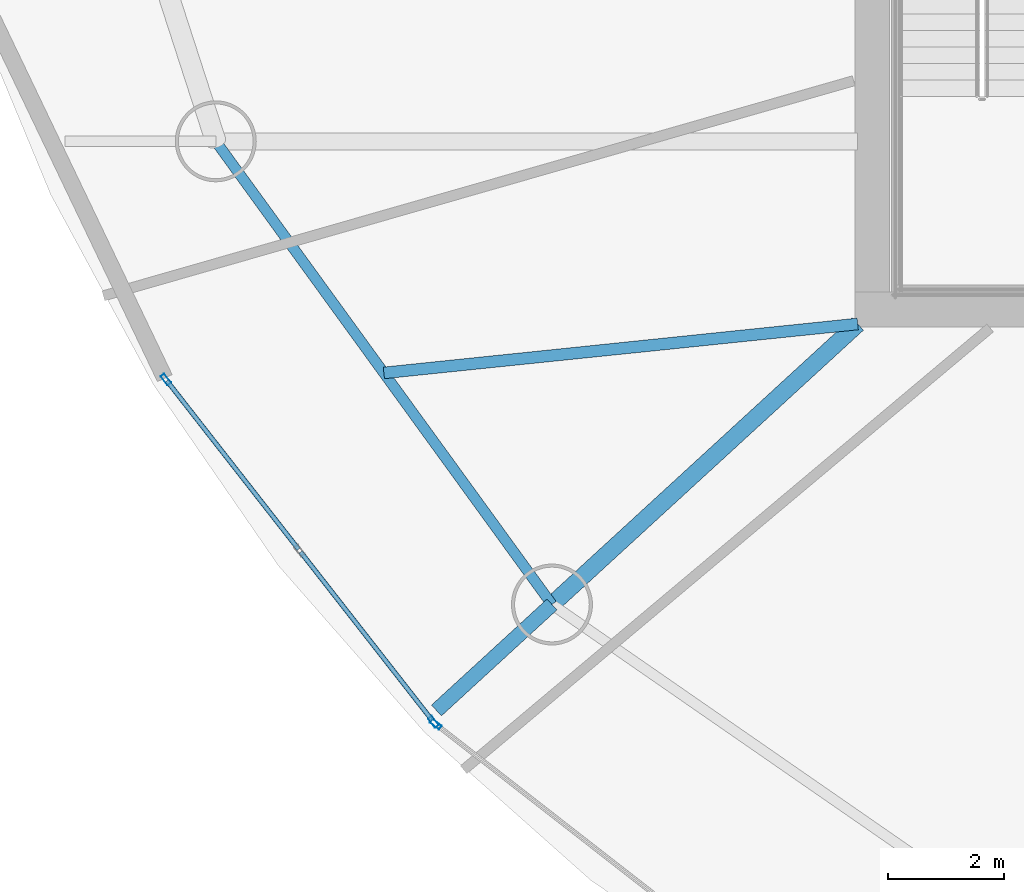
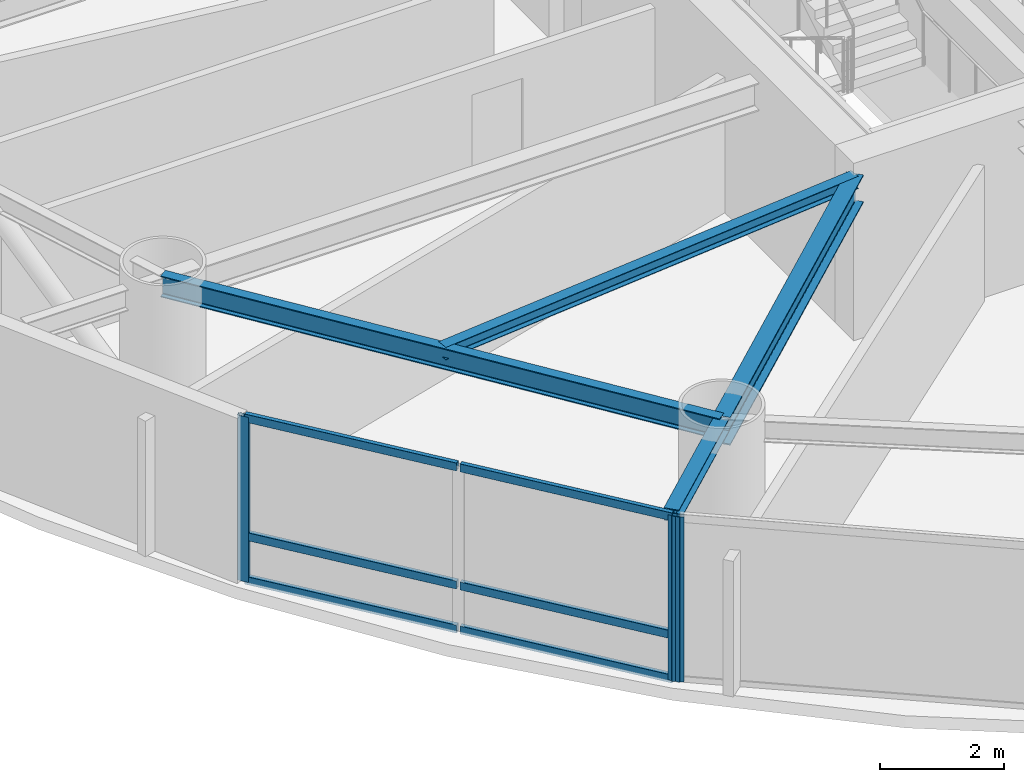
# One storey, part 3 of 20: 9 members, 4 beams, 2 elements without a shape of their own.
"""IFC4 building model written with IfcOpenShell, lengths in metres."""

from ifc_helpers import new_model, si_unit, direction, frame, origin, origin_2d, place, context, subcontext, project, spatial, hollow_rectangle, i_section, extrude, material, layer, layer_set, material_profile, profile_set, type_object, element, aggregate, save


model = new_model("IFC4")

# Units and contexts
model_context = context("Model", 3, precision=1e-05, world=origin(), true_north=direction((0.0, 1.0)))
body_context = subcontext(model_context, "Body", "Model", "MODEL_VIEW")
ifc_project = project(units=[si_unit("LENGTHUNIT", "METRE"), si_unit("AREAUNIT", "SQUARE_METRE"), si_unit("VOLUMEUNIT", "CUBIC_METRE"), si_unit("PLANEANGLEUNIT", "RADIAN"), si_unit("MASSUNIT", "GRAM", prefix="KILO")], contexts=[model_context])

# Site, building, storey
site_placement = place(None, origin())
site = spatial("IfcSite", under=ifc_project, at=site_placement, CompositionType="ELEMENT")
building_placement = place(site_placement, origin())
building = spatial("IfcBuilding", under=site, at=building_placement, Name="Bramvorn Convention Spire", CompositionType="ELEMENT")
storey_placement = place(building_placement, frame((0.0, 0.0, 151.800048828125)))
storey = spatial("IfcBuildingStorey", under=building, at=storey_placement, Name="L38", CompositionType="ELEMENT", Elevation=151.800048828125)

# Beams
ifc_material_1 = material(Name="Steel CSA G40.21 Grade 350 (350W)", Category="steel")
ifc_material_profile_1 = material_profile(ifc_material_1, i_section(OverallWidth=0.201904296875, OverallDepth=0.2470703125, WebThickness=0.00732421875, FlangeThickness=0.010986328125, FilletRadius=0.011962890625, at=origin_2d()))
ifc_profile_set_1 = profile_set([ifc_material_profile_1], Name="Steel CSA G40.21 Grade 350 (350W) - W250X49")
beam_type_1 = type_object("IfcBeamType", Name="BM-W250X49", PredefinedType="JOIST", material=ifc_profile_set_1)
beam_1_placement = place(storey_placement, frame((26.75, 18.550048828125, 3.136474609375), z_axis=(-0.994705076194, -0.102770673804, 0.0), x_axis=(0.102770673804, -0.994705076194, 0.0)))
element("IfcBeam", 1, at=beam_1_placement, inside=storey, type_object=beam_type_1, Name="L38 composite floor joist 11", PredefinedType="JOIST", context=body_context, shape_type="SweptSolid", body=[
    extrude(i_section(OverallWidth=0.201904296875, OverallDepth=0.2470703125, WebThickness=0.00732421875, FlangeThickness=0.010986328125, FilletRadius=0.011962890625, at=origin_2d()), origin(), (0.0, 0.0, 1.0), 8.23388671875),
])
ifc_material_profile_2 = material_profile(ifc_material_1, i_section(OverallWidth=0.25390625, OverallDepth=0.2529296875, WebThickness=0.008544921875, FlangeThickness=0.01416015625, FilletRadius=0.011962890625, at=origin_2d()))
ifc_profile_set_2 = profile_set([ifc_material_profile_2], Name="Steel CSA G40.21 Grade 350 (350W) - W250X73")
beam_type_2 = type_object("IfcBeamType", Name="BM-W250X73", PredefinedType="BEAM", material=ifc_profile_set_2)
beam_2_placement = place(storey_placement, frame((21.465087890625, 13.700927734375, 3.1083984375), z_axis=(-0.736821157559, -0.676087702723, 0.0), x_axis=(0.676087702723, -0.736821157559, 0.0)))
element("IfcBeam", 2, at=beam_2_placement, inside=storey, type_object=beam_type_2, Name="L38 slab-edge cantilever tip beam MC12", PredefinedType="BEAM", context=body_context, shape_type="SweptSolid", body=[
    extrude(i_section(OverallWidth=0.25390625, OverallDepth=0.2529296875, WebThickness=0.008544921875, FlangeThickness=0.01416015625, FilletRadius=0.011962890625, at=origin_2d()), origin(), (0.0, 0.0, 1.0), 2.70947265625),
])
ifc_material_profile_3 = material_profile(ifc_material_1, i_section(OverallWidth=0.180908203125, OverallDepth=0.4169921875, WebThickness=0.010986328125, FlangeThickness=0.018310546875, FilletRadius=0.01611328125, at=origin_2d()))
ifc_profile_set_3 = profile_set([ifc_material_profile_3], Name="Steel CSA G40.21 Grade 350 (350W) - W410X85")
beam_type_3 = type_object("IfcBeamType", Name="BM-W410X85", PredefinedType="JOIST", material=ifc_profile_set_3)
beam_3_placement = place(storey_placement, frame((15.654296875, 21.706787109375, 3.051513671875), z_axis=(0.587401024629, -0.809296012757, 0.0), x_axis=(0.809296012757, 0.587401024629, 0.0)))
element("IfcBeam", 3, at=beam_3_placement, inside=storey, type_object=beam_type_3, Name="L38 mega-column ring beam 11", PredefinedType="JOIST", context=body_context, shape_type="SweptSolid", body=[
    extrude(i_section(OverallWidth=0.180908203125, OverallDepth=0.4169921875, WebThickness=0.010986328125, FlangeThickness=0.018310546875, FilletRadius=0.01611328125, at=origin_2d()), origin(), (0.0, 0.0, 1.0), 9.892333984375),
])
ifc_material_profile_4 = material_profile(ifc_material_1, i_section(OverallWidth=0.2919921875, OverallDepth=0.551025390625, WebThickness=0.01513671875, FlangeThickness=0.0244140625, FilletRadius=0.01904296875, at=origin_2d()))
ifc_profile_set_4 = profile_set([ifc_material_profile_4], Name="Steel CSA G40.21 Grade 350 (350W) - W530X182")
beam_type_4 = type_object("IfcBeamType", Name="BM-W530X182", PredefinedType="BEAM", material=ifc_profile_set_4)
beam_4_placement = place(storey_placement, frame((26.75, 18.550048828125, 2.984375), z_axis=(-0.736833323746, -0.676074443399, 0.0), x_axis=(0.676074443399, -0.736833323746, 0.0)))
element("IfcBeam", 4, at=beam_4_placement, inside=storey, type_object=beam_type_4, Name="L38 radial floor girder MC12", PredefinedType="BEAM", context=body_context, shape_type="SweptSolid", body=[
    extrude(i_section(OverallWidth=0.2919921875, OverallDepth=0.551025390625, WebThickness=0.01513671875, FlangeThickness=0.0244140625, FilletRadius=0.01904296875, at=origin_2d()), origin(), (0.0, 0.0, 1.0), 7.17236328125),
])

# Curtain wall, members
ifc_material_2 = material(Name="Anodised Bronze Unitised Curtain Wall", Category="aluminium")
ifc_layer = layer(ifc_material_2, 0.179931640625)
ifc_layer_set = layer_set([ifc_layer], Name="Anodised Bronze Unitised Curtain Wall - CW-HTL-FRIT")
curtain_wall_type = type_object("IfcCurtainWallType", Name="CW-HTL-FRIT", PredefinedType="USERDEFINED", material=ifc_layer_set)
curtain_wall_1_placement = place(storey_placement, origin())
curtain_wall_1 = element("IfcCurtainWall", 5, at=curtain_wall_1_placement, inside=storey, type_object=curtain_wall_type, Name="L38 fritted glass curtain wall 17", ObjectType="UNITISED CURTAIN WALL", PredefinedType="USERDEFINED")
ifc_material_3 = material(Name="Anodised Bronze Aluminium 6063-T6", Category="aluminium")
ifc_material_profile_5 = material_profile(ifc_material_3, hollow_rectangle(XDim=0.080078125, YDim=0.199951171875, WallThickness=0.00390625, InnerFilletRadius=0.0009765625, OuterFilletRadius=0.00390625, at=origin_2d()))
ifc_profile_set_5 = profile_set([ifc_material_profile_5], Name="Anodised Bronze Aluminium 6063-T6 - CWM80X200")
member_type_1 = type_object("IfcMemberType", Name="CW-MUL-180", PredefinedType="MULLION", material=ifc_profile_set_5)
member_1_placement = place(storey_placement, frame((19.4150390625, 11.673583984375, 0.0), z_axis=(0.0, 0.0, 1.0), x_axis=(-0.788002941535, -0.615671474191, 0.0)))
member_1 = element("IfcMember", 6, at=member_1_placement, type_object=member_type_1, Name="CW2 mullion 1", PredefinedType="MULLION", context=body_context, shape_type="SweptSolid", body=[
    extrude(hollow_rectangle(XDim=0.080078125, YDim=0.199951171875, WallThickness=0.00390625, InnerFilletRadius=0.0009765625, OuterFilletRadius=0.00390625, at=origin_2d()), origin(), (0.0, 0.0, 1.0), 3.260009765625),
])
member_2_placement = place(storey_placement, frame((14.791748046875, 17.5908203125, 0.0), z_axis=(0.0, 0.0, 1.0), x_axis=(-0.788002941535, -0.615671474191, 0.0)))
member_2 = element("IfcMember", 7, at=member_2_placement, type_object=member_type_1, Name="CW2 mullion 3", PredefinedType="MULLION", context=body_context, shape_type="SweptSolid", body=[
    extrude(hollow_rectangle(XDim=0.080078125, YDim=0.199951171875, WallThickness=0.00390625, InnerFilletRadius=0.0009765625, OuterFilletRadius=0.00390625, at=origin_2d()), origin(), (0.0, 0.0, 1.0), 3.260009765625),
])

# Curtain wall, member
curtain_wall_2_placement = place(storey_placement, origin())
curtain_wall_2 = element("IfcCurtainWall", 8, at=curtain_wall_2_placement, inside=storey, type_object=curtain_wall_type, Name="L38 fritted glass curtain wall 18", ObjectType="UNITISED CURTAIN WALL", PredefinedType="USERDEFINED")
member_3_placement = place(storey_placement, frame((19.45703125, 11.631591796875, 0.0), z_axis=(0.0, 0.0, 1.0), x_axis=(-0.614257749133, -0.789105454062, 0.0)))
member_3 = element("IfcMember", 9, at=member_3_placement, type_object=member_type_1, Name="CW2 mullion 2", PredefinedType="MULLION", context=body_context, shape_type="SweptSolid", body=[
    extrude(hollow_rectangle(XDim=0.080078125, YDim=0.199951171875, WallThickness=0.00390625, InnerFilletRadius=0.0009765625, OuterFilletRadius=0.00390625, at=origin_2d()), origin(), (0.0, 0.0, 1.0), 3.260009765625),
])
aggregate(curtain_wall_2, [member_3])

# Member
ifc_material_profile_6 = material_profile(ifc_material_3, hollow_rectangle(XDim=0.080078125, YDim=0.159912109375, WallThickness=0.00390625, InnerFilletRadius=0.0009765625, OuterFilletRadius=0.00390625, at=origin_2d()))
ifc_profile_set_6 = profile_set([ifc_material_profile_6], Name="Anodised Bronze Aluminium 6063-T6 - CWT80X160")
member_type_2 = type_object("IfcMemberType", Name="CW-TRN-150", PredefinedType="USERDEFINED", material=ifc_profile_set_6)
member_4_placement = place(storey_placement, frame((19.396484375, 11.697265625, 0.030029296875), z_axis=(-0.615668405964, 0.788005338749, 0.0), x_axis=(-0.788005338749, -0.615668405964, 0.0)))
member_4 = element("IfcMember", 10, at=member_4_placement, type_object=member_type_2, Name="CW2 transom 1.1", ObjectType="TRANSOM", PredefinedType="USERDEFINED", context=body_context, shape_type="SweptSolid", body=[
    extrude(hollow_rectangle(XDim=0.080078125, YDim=0.159912109375, WallThickness=0.00390625, InnerFilletRadius=0.0009765625, OuterFilletRadius=0.00390625, at=origin_2d()), origin(), (0.0, 0.0, 1.0), 3.694580078125),
])

member_5_placement = place(storey_placement, frame((19.396484375, 11.697265625, 0.89990234375), z_axis=(-0.615668405964, 0.788005338749, 0.0), x_axis=(-0.788005338749, -0.615668405964, 0.0)))
member_5 = element("IfcMember", 11, at=member_5_placement, type_object=member_type_2, Name="CW2 transom 1.2", ObjectType="TRANSOM", PredefinedType="USERDEFINED", context=body_context, shape_type="SweptSolid", body=[
    extrude(hollow_rectangle(XDim=0.080078125, YDim=0.159912109375, WallThickness=0.00390625, InnerFilletRadius=0.0009765625, OuterFilletRadius=0.00390625, at=origin_2d()), origin(), (0.0, 0.0, 1.0), 3.694580078125),
])

member_6_placement = place(storey_placement, frame((19.396484375, 11.697265625, 3.22998046875), z_axis=(-0.615668405964, 0.788005338749, 0.0), x_axis=(-0.788005338749, -0.615668405964, 0.0)))
member_6 = element("IfcMember", 12, at=member_6_placement, type_object=member_type_2, Name="CW2 transom 1.3", ObjectType="TRANSOM", PredefinedType="USERDEFINED", context=body_context, shape_type="SweptSolid", body=[
    extrude(hollow_rectangle(XDim=0.080078125, YDim=0.159912109375, WallThickness=0.00390625, InnerFilletRadius=0.0009765625, OuterFilletRadius=0.00390625, at=origin_2d()), origin(), (0.0, 0.0, 1.0), 3.694580078125),
])

member_7_placement = place(storey_placement, frame((17.0849609375, 14.656005859375, 0.030029296875), z_axis=(-0.61570046589, 0.787980289286, 0.0), x_axis=(-0.787980289286, -0.61570046589, 0.0)))
member_7 = element("IfcMember", 13, at=member_7_placement, type_object=member_type_2, Name="CW2 transom 2.1", ObjectType="TRANSOM", PredefinedType="USERDEFINED", context=body_context, shape_type="SweptSolid", body=[
    extrude(hollow_rectangle(XDim=0.080078125, YDim=0.159912109375, WallThickness=0.00390625, InnerFilletRadius=0.0009765625, OuterFilletRadius=0.00390625, at=origin_2d()), origin(), (0.0, 0.0, 1.0), 3.6943359375),
])

member_8_placement = place(storey_placement, frame((17.0849609375, 14.656005859375, 0.89990234375), z_axis=(-0.61570046589, 0.787980289286, 0.0), x_axis=(-0.787980289286, -0.61570046589, 0.0)))
member_8 = element("IfcMember", 14, at=member_8_placement, type_object=member_type_2, Name="CW2 transom 2.2", ObjectType="TRANSOM", PredefinedType="USERDEFINED", context=body_context, shape_type="SweptSolid", body=[
    extrude(hollow_rectangle(XDim=0.080078125, YDim=0.159912109375, WallThickness=0.00390625, InnerFilletRadius=0.0009765625, OuterFilletRadius=0.00390625, at=origin_2d()), origin(), (0.0, 0.0, 1.0), 3.6943359375),
])

member_9_placement = place(storey_placement, frame((17.0849609375, 14.656005859375, 3.22998046875), z_axis=(-0.61570046589, 0.787980289286, 0.0), x_axis=(-0.787980289286, -0.61570046589, 0.0)))
member_9 = element("IfcMember", 15, at=member_9_placement, type_object=member_type_2, Name="CW2 transom 2.3", ObjectType="TRANSOM", PredefinedType="USERDEFINED", context=body_context, shape_type="SweptSolid", body=[
    extrude(hollow_rectangle(XDim=0.080078125, YDim=0.159912109375, WallThickness=0.00390625, InnerFilletRadius=0.0009765625, OuterFilletRadius=0.00390625, at=origin_2d()), origin(), (0.0, 0.0, 1.0), 3.6943359375),
])

aggregate(curtain_wall_1, [member_1, member_2, member_4, member_5, member_6, member_7, member_8, member_9])

save(model, "model.ifc")
